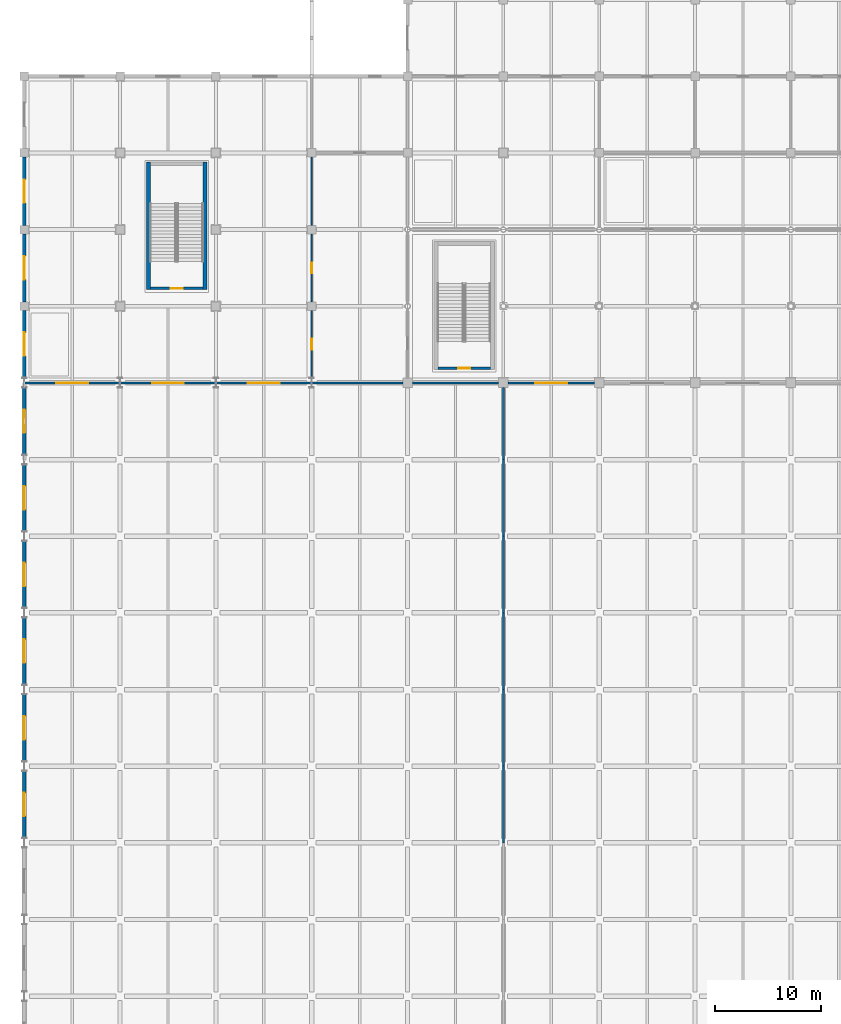
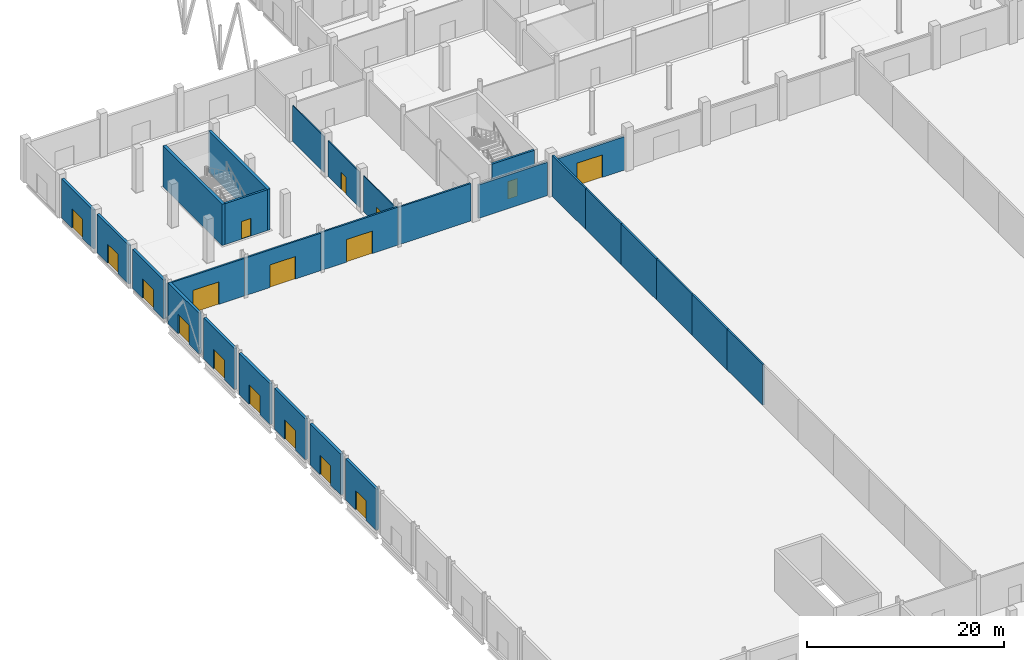
# One storey, part 88 of 137: 28 walls, 17 doors, 17 openings.
"""IFC4 building model written with IfcOpenShell, lengths in metres."""

import ifcopenshell
import ifcopenshell.guid

model = None  # the IFC model being written
_history = None  # IfcOwnerHistory: only IFC2X3 demands one
_inside = {}  # id of a spatial element -> (the spatial element, [elements in it])
_under = {}  # id of a project, library or spatial element -> (it, [spatial elements below it])
_declared = {}  # id of a project -> (the project, [libraries it declares])
_typed = {}  # id of a type object -> (the type object, [elements of that type])
_made_of = {}  # id of a material, layer set ... -> (it, [elements and type objects made of it])


def new_model(schema):
    """Start an empty IFC model of exactly this schema.

    Asked for "IFC4X3", IfcOpenShell would pick the latest addendum, in which some entities
    have other attributes; the version numbers below select the first issue.
    IFC2X3 requires an IfcOwnerHistory on every rooted entity: one is made here for all.
    """
    global model, _history
    if schema == "IFC4X3":
        model = ifcopenshell.file(schema_version=(4, 3, 0, 0))
    else:
        model = ifcopenshell.file(schema=schema)
    _inside.clear()
    _under.clear()
    _declared.clear()
    _typed.clear()
    _made_of.clear()
    _history = None
    if model.schema == "IFC2X3":
        org = make("IfcOrganization", Name="unknown")
        user = make(
            "IfcPersonAndOrganization",
            ThePerson=make("IfcPerson", FamilyName="unknown"),
            TheOrganization=org,
        )
        app = make(
            "IfcApplication",
            ApplicationDeveloper=org,
            Version="unknown",
            ApplicationFullName="unknown",
            ApplicationIdentifier="unknown",
        )
        _history = make(
            "IfcOwnerHistory",
            OwningUser=user,
            OwningApplication=app,
            ChangeAction="ADDED",
            CreationDate=0,
        )
    return model


def make(cls, **values):
    """One entity of the class cls with the attributes given. An attribute that is None is left unset."""
    return model.create_entity(
        cls, **{name: value for name, value in values.items() if value is not None}
    )


def rooted(cls, **values):
    """An entity with a GlobalId (a new one), such as an element, a storey or a relation."""
    return make(cls, GlobalId=ifcopenshell.guid.new(), OwnerHistory=_history, **values)


def si_unit(unit_type, name, prefix=None):
    """IfcSIUnit, for example si_unit("LENGTHUNIT", "METRE", prefix="MILLI")."""
    return make("IfcSIUnit", UnitType=unit_type, Prefix=prefix, Name=name)


def assignment(units):
    """IfcUnitAssignment: the units of a project."""
    return None if units is None else make("IfcUnitAssignment", Units=units)


def point(xyz):
    """IfcCartesianPoint."""
    return None if xyz is None else make("IfcCartesianPoint", Coordinates=xyz)


def direction(xyz):
    """IfcDirection."""
    return None if xyz is None else make("IfcDirection", DirectionRatios=xyz)


def frame(location, z_axis=None, x_axis=None):
    """IfcAxis2Placement3D, a coordinate frame: its origin and axes. An axis left out is left unset."""
    return make(
        "IfcAxis2Placement3D",
        Location=point(location),
        Axis=direction(z_axis),
        RefDirection=direction(x_axis),
    )


def frame_2d(location, x_axis=None):
    """IfcAxis2Placement2D, a coordinate frame in the plane: its origin and x axis."""
    return make(
        "IfcAxis2Placement2D", Location=point(location), RefDirection=direction(x_axis)
    )


def origin():
    """The frame at (0, 0, 0) with its axes left unset."""
    return frame((0.0, 0.0, 0.0))


def place(relative_to, where):
    """IfcLocalPlacement: puts the frame where relative to a parent placement (None: the world)."""
    return make(
        "IfcLocalPlacement", PlacementRelTo=relative_to, RelativePlacement=where
    )


def context(
    kind, dimensions, precision=None, world=None, true_north=None, identifier=None
):
    """IfcGeometricRepresentationContext, for example the 3D "Model" context."""
    return make(
        "IfcGeometricRepresentationContext",
        ContextIdentifier=identifier,
        ContextType=kind,
        CoordinateSpaceDimension=dimensions,
        Precision=precision,
        WorldCoordinateSystem=world,
        TrueNorth=true_north,
    )


def subcontext(parent, identifier, kind, view, scale=None):
    """IfcGeometricRepresentationSubContext, for example "Body" below "Model"."""
    return make(
        "IfcGeometricRepresentationSubContext",
        ContextIdentifier=identifier,
        ContextType=kind,
        ParentContext=parent,
        TargetScale=scale,
        TargetView=view,
    )


def project(units=None, contexts=None):
    """IfcProject with its units and contexts."""
    return rooted(
        "IfcProject",
        Name="project",
        RepresentationContexts=contexts,
        UnitsInContext=assignment(units),
    )


def spatial(cls, under=None, at=None, **own):
    """A site, building, storey or space (cls), placed at a placement, below another one or the project."""
    s = rooted(cls, ObjectPlacement=at, **own)
    if under is not None:
        _under.setdefault(under.id(), (under, []))[1].append(s)
    return s


def profile(cls, at=None, kind="AREA", **sizes):
    """A parametric profile (cls). Its sizes go by their IFC names, for example OverallWidth=200.0."""
    return make(cls, ProfileType=kind, Position=at, **sizes)


def rectangle(**sizes):
    """IfcRectangleProfileDef."""
    return profile("IfcRectangleProfileDef", **sizes)


def extrude(swept, where, along, depth):
    """IfcExtrudedAreaSolid: the profile swept, set in the frame where, extruded along a direction by depth."""
    return make(
        "IfcExtrudedAreaSolid",
        SweptArea=swept,
        Position=where,
        ExtrudedDirection=direction(along),
        Depth=depth,
    )


def shape(context_of_items, identifier, shape_type, items):
    """IfcShapeRepresentation: the items that make up one representation, for example the "Body"."""
    return make(
        "IfcShapeRepresentation",
        ContextOfItems=context_of_items,
        RepresentationIdentifier=identifier,
        RepresentationType=shape_type,
        Items=items,
    )


def material(Name=None, Category=None):
    """IfcMaterial."""
    return make("IfcMaterial", Name=Name, Category=Category)


def layer(
    of_material, thickness, ventilated=None, Name=None, Category=None, Priority=None
):
    """IfcMaterialLayer: one layer of a wall or slab, of a material (None: an air gap)."""
    return make(
        "IfcMaterialLayer",
        Material=of_material,
        LayerThickness=thickness,
        IsVentilated=ventilated,
        Name=Name,
        Category=Category,
        Priority=Priority,
    )


def layer_set(layers, Name=None):
    """IfcMaterialLayerSet."""
    return make("IfcMaterialLayerSet", MaterialLayers=layers, LayerSetName=Name)


def made_of(thing, what):
    """Note that an element or type object is made of a material, layer set ...; save() writes the relation."""
    if what is not None:
        _made_of.setdefault(what.id(), (what, []))[1].append(thing)
    return thing


def type_object(cls, material=None, **own):
    """A type object (cls), such as IfcWallType, which elements share."""
    return made_of(rooted(cls, **own), material)


def element(
    cls,
    number,
    at=None,
    inside=None,
    cuts=None,
    type_object=None,
    material=None,
    context=None,
    identifier="Body",
    shape_type=None,
    held_by="IfcProductDefinitionShape",
    body=None,
    shapes=None,
    **own,
):
    """One element of the class cls, such as IfcWall. Its Tag is "e" and its number.

    at: its placement. inside: the storey or other place that contains it. cuts: it is an
    opening in that element (IfcRelVoidsElement). A single representation is given by context,
    identifier, shape_type and body (its items); several are given by shapes. held_by: the class
    of the entity that holds the representations. save() writes the other relations.
    """
    e = rooted(cls, Tag="e%d" % number, ObjectPlacement=at, **own)
    if body is not None:
        shapes = [shape(context, identifier, shape_type, body)]
    if shapes is not None:
        e.Representation = make(held_by, Representations=shapes)
    if inside is not None:
        _inside.setdefault(inside.id(), (inside, []))[1].append(e)
    if cuts is not None:
        rooted(
            "IfcRelVoidsElement", RelatingBuildingElement=cuts, RelatedOpeningElement=e
        )
    if type_object is not None:
        _typed.setdefault(type_object.id(), (type_object, []))[1].append(e)
    return made_of(e, material)


def fill(opening, filler):
    """IfcRelFillsElement: the door or window that sits in an opening."""
    return rooted(
        "IfcRelFillsElement",
        RelatingOpeningElement=opening,
        RelatedBuildingElement=filler,
    )


def aggregate(whole, parts):
    """IfcRelAggregates: a whole, such as a stair, and the parts it consists of."""
    return rooted("IfcRelAggregates", RelatingObject=whole, RelatedObjects=parts)


def save(model, path):
    """Write the relations noted so far, then the file.

    IfcRelAggregates (storeys below a building ...), IfcRelContainedInSpatialStructure (elements
    in a storey), IfcRelDefinesByType, IfcRelAssociatesMaterial and IfcRelDeclares: one each for
    every whole, place, type object, material and project.
    """
    for whole, parts in _under.values():
        aggregate(whole, parts)
    for where, things in _inside.values():
        rooted(
            "IfcRelContainedInSpatialStructure",
            RelatedElements=things,
            RelatingStructure=where,
        )
    for kind, things in _typed.values():
        rooted("IfcRelDefinesByType", RelatedObjects=things, RelatingType=kind)
    for what, things in _made_of.values():
        rooted("IfcRelAssociatesMaterial", RelatedObjects=things, RelatingMaterial=what)
    for by, libraries in _declared.values():
        rooted("IfcRelDeclares", RelatingContext=by, RelatedDefinitions=libraries)
    model.write(path)


model = new_model("IFC4")

# Units and contexts
model_context = context("Model", 3, precision=1e-05, world=origin(), true_north=direction((0.0, 1.0)))
body_context = subcontext(model_context, "Body", "Model", "MODEL_VIEW")
ifc_project = project(units=[si_unit("LENGTHUNIT", "METRE"), si_unit("AREAUNIT", "SQUARE_METRE"), si_unit("VOLUMEUNIT", "CUBIC_METRE"), si_unit("PLANEANGLEUNIT", "RADIAN"), si_unit("MASSUNIT", "GRAM", prefix="KILO")], contexts=[model_context])

# Site, building, storey
site_placement = place(None, origin())
site = spatial("IfcSite", under=ifc_project, at=site_placement, CompositionType="ELEMENT")
building_placement = place(site_placement, origin())
building = spatial("IfcBuilding", under=site, at=building_placement, Name="Celestram Park Convention Centre", CompositionType="ELEMENT")
storey_placement = place(building_placement, origin())
storey = spatial("IfcBuildingStorey", under=building, at=storey_placement, Name="L00", CompositionType="ELEMENT", Elevation=0.0)

# Wall, opening, door
ifc_material_1 = material(Name="Double-Stud Acoustic Gypsum Assembly", Category="gypsum")
ifc_layer_1 = layer(ifc_material_1, 0.199951171875)
ifc_layer_set_1 = layer_set([ifc_layer_1], Name="Double-Stud Acoustic Gypsum Assembly")
wall_type_1 = type_object("IfcWallType", Name="ARC-WL-ACO200", PredefinedType="PARTITIONING", material=ifc_layer_set_1)
wall_1_placement = place(storey_placement, frame((0.010009765625, 108.0, 0.0), z_axis=(0.0, 0.0, 1.0), x_axis=(1.0, 0.0, 0.0)))
wall_1 = element("IfcWall", 1, at=wall_1_placement, inside=storey, type_object=wall_type_1, Name="Interior partition WL-L00-IN0555", PredefinedType="PARTITIONING", context=body_context, shape_type="SweptSolid", body=[
    extrude(rectangle(XDim=8.97998046875, YDim=0.199951171875, at=frame_2d((4.489990234375, 0.0))), origin(), (0.0, 0.0, 1.0), 4.653076171875),
])
opening_1_placement = place(wall_1_placement, frame((2.989990234375, 0.0, 0.0)))
opening_1 = element("IfcOpeningElement", 2, at=opening_1_placement, cuts=wall_1, Name="Opening D-03", PredefinedType="OPENING", context=body_context, shape_type="SweptSolid", body=[
    extrude(rectangle(XDim=3.0, YDim=2.800048828125, at=frame_2d((1.5, 1.39990234375))), frame((0.0, 0.10986328125, 0.0), z_axis=(0.0, -1.0, 0.0), x_axis=(1.0, 0.0, 0.0)), (0.0, 0.0, 1.0), 0.219970703125),
])
ifc_material_2 = material(Name="High-Bay Exposition Hall Double Portal", Category="steel")
door_type_1 = type_object("IfcDoorType", Name="ARC-DR-EXH300", OperationType="NOTDEFINED", PredefinedType="DOOR", material=ifc_material_2)
door_1_placement = place(opening_1_placement, origin())
door_1 = element("IfcDoor", 3, at=door_1_placement, inside=storey, type_object=door_type_1, Name="Exhibition Hall A entrance door", OperationType="DOUBLE_DOOR_SINGLE_SWING", OverallHeight=2.800048828125, OverallWidth=3.0, PredefinedType="DOOR", context=body_context, shape_type="SweptSolid", body=[
    extrude(rectangle(XDim=3.0, YDim=2.800048828125, at=frame_2d((1.5, 1.39990234375))), frame((0.0, 0.02490234375, 0.0), z_axis=(0.0, -1.0, 0.0), x_axis=(1.0, 0.0, 0.0)), (0.0, 0.0, 1.0), 0.050048828125),
])
fill(opening_1, door_1)

wall_2_placement = place(storey_placement, frame((9.010009765625, 108.0, 0.0), z_axis=(0.0, 0.0, 1.0), x_axis=(1.0, 0.0, 0.0)))
wall_2 = element("IfcWall", 4, at=wall_2_placement, inside=storey, type_object=wall_type_1, Name="Interior partition WL-L00-IN0556", PredefinedType="PARTITIONING", context=body_context, shape_type="SweptSolid", body=[
    extrude(rectangle(XDim=8.97998046875, YDim=0.199951171875, at=frame_2d((4.489990234375, 0.0))), origin(), (0.0, 0.0, 1.0), 4.6630859375),
])
opening_2_placement = place(wall_2_placement, frame((2.989990234375, 0.0, 0.0)))
opening_2 = element("IfcOpeningElement", 5, at=opening_2_placement, cuts=wall_2, Name="Opening D-03", PredefinedType="OPENING", context=body_context, shape_type="SweptSolid", body=[
    extrude(rectangle(XDim=3.0, YDim=2.800048828125, at=frame_2d((1.5, 1.39990234375))), frame((0.0, 0.10986328125, 0.0), z_axis=(0.0, -1.0, 0.0), x_axis=(1.0, 0.0, 0.0)), (0.0, 0.0, 1.0), 0.219970703125),
])
door_2_placement = place(opening_2_placement, origin())
door_2 = element("IfcDoor", 6, at=door_2_placement, inside=storey, type_object=door_type_1, Name="Exhibition Hall A entrance door", OperationType="DOUBLE_DOOR_SINGLE_SWING", OverallHeight=2.800048828125, OverallWidth=3.0, PredefinedType="DOOR", context=body_context, shape_type="SweptSolid", body=[
    extrude(rectangle(XDim=3.0, YDim=2.800048828125, at=frame_2d((1.5, 1.39990234375))), frame((0.0, 0.02490234375, 0.0), z_axis=(0.0, -1.0, 0.0), x_axis=(1.0, 0.0, 0.0)), (0.0, 0.0, 1.0), 0.050048828125),
])
fill(opening_2, door_2)

wall_3_placement = place(storey_placement, frame((18.010009765625, 108.0, 0.0), z_axis=(0.0, 0.0, 1.0), x_axis=(1.0, 0.0, 0.0)))
wall_3 = element("IfcWall", 7, at=wall_3_placement, inside=storey, type_object=wall_type_1, Name="Interior partition WL-L00-IN0557", PredefinedType="PARTITIONING", context=body_context, shape_type="SweptSolid", body=[
    extrude(rectangle(XDim=8.97998046875, YDim=0.199951171875, at=frame_2d((4.489990234375, 0.0))), origin(), (0.0, 0.0, 1.0), 4.714111328125),
])
opening_3_placement = place(wall_3_placement, frame((2.989990234375, 0.0, 0.0)))
opening_3 = element("IfcOpeningElement", 8, at=opening_3_placement, cuts=wall_3, Name="Opening D-03", PredefinedType="OPENING", context=body_context, shape_type="SweptSolid", body=[
    extrude(rectangle(XDim=3.0, YDim=2.800048828125, at=frame_2d((1.5, 1.39990234375))), frame((0.0, 0.10986328125, 0.0), z_axis=(0.0, -1.0, 0.0), x_axis=(1.0, 0.0, 0.0)), (0.0, 0.0, 1.0), 0.219970703125),
])
door_3_placement = place(opening_3_placement, origin())
door_3 = element("IfcDoor", 9, at=door_3_placement, inside=storey, type_object=door_type_1, Name="Exhibition Hall A entrance door", OperationType="DOUBLE_DOOR_SINGLE_SWING", OverallHeight=2.800048828125, OverallWidth=3.0, PredefinedType="DOOR", context=body_context, shape_type="SweptSolid", body=[
    extrude(rectangle(XDim=3.0, YDim=2.800048828125, at=frame_2d((1.5, 1.39990234375))), frame((0.0, 0.02490234375, 0.0), z_axis=(0.0, -1.0, 0.0), x_axis=(1.0, 0.0, 0.0)), (0.0, 0.0, 1.0), 0.050048828125),
])
fill(opening_3, door_3)

# Walls
wall_4_placement = place(storey_placement, frame((27.010009765625, 108.0, 0.0), z_axis=(0.0, 0.0, 1.0), x_axis=(1.0, 0.0, 0.0)))
element("IfcWall", 10, at=wall_4_placement, inside=storey, type_object=wall_type_1, Name="Interior partition WL-L00-IN0558", PredefinedType="PARTITIONING", context=body_context, shape_type="SweptSolid", body=[
    extrude(rectangle(XDim=8.5419921875, YDim=0.199951171875, at=frame_2d((4.27099609375, 0.0))), origin(), (0.0, 0.0, 1.0), 4.653076171875),
])
wall_5_placement = place(storey_placement, frame((36.447998046875, 108.0, 0.0), z_axis=(0.0, 0.0, 1.0), x_axis=(1.0, 0.0, 0.0)))
element("IfcWall", 11, at=wall_5_placement, inside=storey, type_object=wall_type_1, Name="Interior partition WL-L00-IN0559", PredefinedType="PARTITIONING", context=body_context, shape_type="SweptSolid", body=[
    extrude(rectangle(XDim=8.10400390625, YDim=0.199951171875, at=frame_2d((4.052001953125, 0.0))), origin(), (0.0, 0.0, 1.0), 4.14990234375),
])

# Wall, opening, door
wall_6_placement = place(storey_placement, frame((45.447998046875, 108.0, 0.0), z_axis=(0.0, 0.0, 1.0), x_axis=(1.0, 0.0, 0.0)))
wall_6 = element("IfcWall", 12, at=wall_6_placement, inside=storey, type_object=wall_type_1, Name="Interior partition WL-L00-IN0560", PredefinedType="PARTITIONING", context=body_context, shape_type="SweptSolid", body=[
    extrude(rectangle(XDim=8.10400390625, YDim=0.199951171875, at=frame_2d((4.052001953125, 0.0))), origin(), (0.0, 0.0, 1.0), 4.14990234375),
])
opening_4_placement = place(wall_6_placement, frame((2.552001953125, 0.0, 0.0)))
opening_4 = element("IfcOpeningElement", 13, at=opening_4_placement, cuts=wall_6, Name="Opening D-03", PredefinedType="OPENING", context=body_context, shape_type="SweptSolid", body=[
    extrude(rectangle(XDim=3.0, YDim=2.800048828125, at=frame_2d((1.5, 1.39990234375))), frame((0.0, 0.10986328125, 0.0), z_axis=(0.0, -1.0, 0.0), x_axis=(1.0, 0.0, 0.0)), (0.0, 0.0, 1.0), 0.219970703125),
])
door_4_placement = place(opening_4_placement, origin())
door_4 = element("IfcDoor", 14, at=door_4_placement, inside=storey, type_object=door_type_1, Name="Exhibition Hall B entrance door", OperationType="DOUBLE_DOOR_SINGLE_SWING", OverallHeight=2.800048828125, OverallWidth=3.0, PredefinedType="DOOR", context=body_context, shape_type="SweptSolid", body=[
    extrude(rectangle(XDim=3.0, YDim=2.800048828125, at=frame_2d((1.5, 1.39990234375))), frame((0.0, 0.02490234375, 0.0), z_axis=(0.0, -1.0, 0.0), x_axis=(1.0, 0.0, 0.0)), (0.0, 0.0, 1.0), 0.050048828125),
])
fill(opening_4, door_4)

# Walls
for number, where, z_axis, x_axis, name in (
    (15, (45.0, 64.800048828125, 0.0), (0.0, 0.0, 1.0), (0.0, 1.0, 0.0), "Interior partition WL-L00-IN0620"),
    (16, (45.0, 72.0, 0.0), (0.0, 0.0, 1.0), (0.0, 1.0, 0.0), "Interior partition WL-L00-IN0621"),
    (17, (45.0, 79.199951171875, 0.0), (0.0, 0.0, 1.0), (0.0, 1.0, 0.0), "Interior partition WL-L00-IN0622"),
):
    element("IfcWall", number, at=place(storey_placement, frame(where, z_axis=z_axis, x_axis=x_axis)), inside=storey, type_object=wall_type_1, Name=name, PredefinedType="PARTITIONING", context=body_context, shape_type="SweptSolid", body=[
        extrude(rectangle(XDim=7.199951171875, YDim=0.199951171875, at=frame_2d((3.60009765625, 0.0))), origin(), (0.0, 0.0, 1.0), 5.080078125),
    ])
wall_7_placement = place(storey_placement, frame((45.0, 86.39990234375, 0.0), z_axis=(0.0, 0.0, 1.0), x_axis=(0.0, 1.0, 0.0)))
element("IfcWall", 18, at=wall_7_placement, inside=storey, type_object=wall_type_1, Name="Interior partition WL-L00-IN0623", PredefinedType="PARTITIONING", context=body_context, shape_type="SweptSolid", body=[
    extrude(rectangle(XDim=7.2001953125, YDim=0.199951171875, at=frame_2d((3.60009765625, 0.0))), origin(), (0.0, 0.0, 1.0), 5.080078125),
])
wall_8_placement = place(storey_placement, frame((45.0, 93.60009765625, 0.0), z_axis=(0.0, 0.0, 1.0), x_axis=(0.0, 1.0, 0.0)))
element("IfcWall", 19, at=wall_8_placement, inside=storey, type_object=wall_type_1, Name="Interior partition WL-L00-IN0624", PredefinedType="PARTITIONING", context=body_context, shape_type="SweptSolid", body=[
    extrude(rectangle(XDim=7.199951171875, YDim=0.199951171875, at=frame_2d((3.60009765625, 0.0))), origin(), (0.0, 0.0, 1.0), 5.080078125),
])
wall_9_placement = place(storey_placement, frame((45.0, 100.800048828125, 0.0), z_axis=(0.0, 0.0, 1.0), x_axis=(0.0, 1.0, 0.0)))
element("IfcWall", 20, at=wall_9_placement, inside=storey, type_object=wall_type_1, Name="Interior partition WL-L00-IN0625", PredefinedType="PARTITIONING", context=body_context, shape_type="SweptSolid", body=[
    extrude(rectangle(XDim=6.751953125, YDim=0.199951171875, at=frame_2d((3.3759765625, 0.0))), origin(), (0.0, 0.0, 1.0), 5.080078125),
])

# Wall, opening, door
ifc_material_3 = material(Name="Concrete Block Masonry C25/30", Category="masonry")
ifc_layer_2 = layer(ifc_material_3, 0.25)
ifc_layer_set_2 = layer_set([ifc_layer_2], Name="Concrete Block Masonry C25/30")
wall_type_2 = type_object("IfcWallType", Name="ARC-WL-COR250", PredefinedType="STANDARD", material=ifc_layer_set_2)
wall_10_placement = place(storey_placement, frame((43.800048828125, 109.375, 0.0), z_axis=(0.0, 0.0, 1.0), x_axis=(-1.0, 0.0, 0.0)))
wall_10 = element("IfcWall", 21, at=wall_10_placement, inside=storey, type_object=wall_type_2, Name="Core S13 stair entrance wall", PredefinedType="STANDARD", context=body_context, shape_type="SweptSolid", body=[
    extrude(rectangle(XDim=4.9599609375, YDim=0.25, at=frame_2d((2.47998046875, 0.0))), origin(), (0.0, 0.0, 1.0), 5.080078125),
])
opening_5_placement = place(wall_10_placement, frame((1.905029296875, 0.0, 0.0)))
opening_5 = element("IfcOpeningElement", 22, at=opening_5_placement, cuts=wall_10, Name="Opening D-ST1", PredefinedType="OPENING", context=body_context, shape_type="SweptSolid", body=[
    extrude(rectangle(XDim=1.14990234375, YDim=2.199951171875, at=frame_2d((0.574951171875, 1.10009765625))), frame((0.0, 0.135009765625, 0.0), z_axis=(0.0, -1.0, 0.0), x_axis=(1.0, 0.0, 0.0)), (0.0, 0.0, 1.0), 0.27001953125),
])
ifc_material_4 = material(Name="Fire-Rated Hollow Metal Steel ASTM A653", Category="steel")
door_type_2 = type_object("IfcDoorType", Name="ARC-DR-ST115", OperationType="NOTDEFINED", PredefinedType="DOOR", material=ifc_material_4)
door_5_placement = place(opening_5_placement, origin())
door_5 = element("IfcDoor", 23, at=door_5_placement, inside=storey, type_object=door_type_2, Name="Exit stair ST-13 fire door", OperationType="SINGLE_SWING_RIGHT", OverallHeight=2.199951171875, OverallWidth=1.14990234375, PredefinedType="DOOR", context=body_context, shape_type="SweptSolid", body=[
    extrude(rectangle(XDim=1.14990234375, YDim=2.199951171875, at=frame_2d((0.574951171875, 1.10009765625))), frame((0.0, 0.02490234375, 0.0), z_axis=(0.0, -1.0, 0.0), x_axis=(1.0, 0.0, 0.0)), (0.0, 0.0, 1.0), 0.050048828125),
])
fill(opening_5, door_5)

wall_11_placement = place(storey_placement, frame((16.800048828125, 116.875, 0.0), z_axis=(0.0, 0.0, 1.0), x_axis=(-1.0, 0.0, 0.0)))
wall_11 = element("IfcWall", 24, at=wall_11_placement, inside=storey, type_object=wall_type_2, Name="Core S15 stair entrance wall", PredefinedType="STANDARD", context=body_context, shape_type="SweptSolid", body=[
    extrude(rectangle(XDim=4.9599609375, YDim=0.25, at=frame_2d((2.47998046875, 0.0))), origin(), (0.0, 0.0, 1.0), 5.080078125),
])
opening_6_placement = place(wall_11_placement, frame((1.905029296875, 0.0, 0.0)))
opening_6 = element("IfcOpeningElement", 25, at=opening_6_placement, cuts=wall_11, Name="Opening D-ST1", PredefinedType="OPENING", context=body_context, shape_type="SweptSolid", body=[
    extrude(rectangle(XDim=1.14990234375, YDim=2.199951171875, at=frame_2d((0.574951171875, 1.10009765625))), frame((0.0, 0.135009765625, 0.0), z_axis=(0.0, -1.0, 0.0), x_axis=(1.0, 0.0, 0.0)), (0.0, 0.0, 1.0), 0.27001953125),
])
door_6_placement = place(opening_6_placement, origin())
door_6 = element("IfcDoor", 26, at=door_6_placement, inside=storey, type_object=door_type_2, Name="Exit stair ST-15 fire door", OperationType="SINGLE_SWING_LEFT", OverallHeight=2.199951171875, OverallWidth=1.14990234375, PredefinedType="DOOR", context=body_context, shape_type="SweptSolid", body=[
    extrude(rectangle(XDim=1.14990234375, YDim=2.199951171875, at=frame_2d((0.574951171875, 1.10009765625))), frame((0.0, 0.02490234375, 0.0), z_axis=(0.0, -1.0, 0.0), x_axis=(1.0, 0.0, 0.0)), (0.0, 0.0, 1.0), 0.050048828125),
])
fill(opening_6, door_6)

ifc_material_5 = material(Name="Precast Concrete C40/50", Category="concrete")
ifc_layer_3 = layer(ifc_material_5, 0.300048828125)
ifc_layer_set_3 = layer_set([ifc_layer_3], Name="Precast Concrete C40/50")
wall_type_3 = type_object("IfcWallType", Name="ARC-WL-EXT300", PredefinedType="STANDARD", material=ifc_layer_set_3)
wall_12_placement = place(storey_placement, frame((0.0, 108.464111328125, 0.0), z_axis=(0.0, 0.0, 1.0), x_axis=(0.0, 1.0, 0.0)))
wall_12 = element("IfcWall", 27, at=wall_12_placement, inside=storey, type_object=wall_type_3, Name="Bush-hammered precast exterior wall WL-L00-EW013", PredefinedType="STANDARD", context=body_context, shape_type="SweptSolid", body=[
    extrude(rectangle(XDim=6.337890625, YDim=0.300048828125, at=frame_2d((3.1689453125, 0.0))), origin(), (0.0, 0.0, 1.0), 4.820068359375),
])
opening_7_placement = place(wall_12_placement, frame((2.069091796875, 0.0, 0.0)))
opening_7 = element("IfcOpeningElement", 28, at=opening_7_placement, cuts=wall_12, Name="Opening D-EX1", PredefinedType="OPENING", context=body_context, shape_type="SweptSolid", body=[
    extrude(rectangle(XDim=2.199951171875, YDim=2.39990234375, at=frame_2d((1.10009765625, 1.199951171875))), frame((0.0, 0.159912109375, 0.0), z_axis=(0.0, -1.0, 0.0), x_axis=(1.0, 0.0, 0.0)), (0.0, 0.0, 1.0), 0.320068359375),
])
ifc_material_6 = material(Name="Anodised Aluminium & Tempered Glass", Category="aluminium")
door_type_3 = type_object("IfcDoorType", Name="ARC-DR-EX2200", OperationType="NOTDEFINED", PredefinedType="DOOR", material=ifc_material_6)
door_7_placement = place(opening_7_placement, origin())
door_7 = element("IfcDoor", 29, at=door_7_placement, inside=storey, type_object=door_type_3, Name="Ground egress exit door DR-L00-EX13", OperationType="DOUBLE_DOOR_SINGLE_SWING", OverallHeight=2.39990234375, OverallWidth=2.199951171875, PredefinedType="DOOR", context=body_context, shape_type="SweptSolid", body=[
    extrude(rectangle(XDim=2.199951171875, YDim=2.39990234375, at=frame_2d((1.10009765625, 1.199951171875))), frame((0.0, 0.02490234375, 0.0), z_axis=(0.0, -1.0, 0.0), x_axis=(1.0, 0.0, 0.0)), (0.0, 0.0, 1.0), 0.050048828125),
])
fill(opening_7, door_7)

wall_13_placement = place(storey_placement, frame((0.0, 115.597900390625, 0.0), z_axis=(0.0, 0.0, 1.0), x_axis=(0.0, 1.0, 0.0)))
wall_13 = element("IfcWall", 30, at=wall_13_placement, inside=storey, type_object=wall_type_3, Name="Bush-hammered precast exterior wall WL-L00-EW014", PredefinedType="STANDARD", context=body_context, shape_type="SweptSolid", body=[
    extrude(rectangle(XDim=6.404052734375, YDim=0.300048828125, at=frame_2d((3.2021484375, 0.0))), origin(), (0.0, 0.0, 1.0), 4.820068359375),
])
opening_8_placement = place(wall_13_placement, frame((2.10205078125, 0.0, 0.0)))
opening_8 = element("IfcOpeningElement", 31, at=opening_8_placement, cuts=wall_13, Name="Opening D-EX1", PredefinedType="OPENING", context=body_context, shape_type="SweptSolid", body=[
    extrude(rectangle(XDim=2.199951171875, YDim=2.39990234375, at=frame_2d((1.10009765625, 1.199951171875))), frame((0.0, 0.159912109375, 0.0), z_axis=(0.0, -1.0, 0.0), x_axis=(1.0, 0.0, 0.0)), (0.0, 0.0, 1.0), 0.320068359375),
])
door_8_placement = place(opening_8_placement, origin())
door_8 = element("IfcDoor", 32, at=door_8_placement, inside=storey, type_object=door_type_3, Name="Ground egress exit door DR-L00-EX14", OperationType="DOUBLE_DOOR_SINGLE_SWING", OverallHeight=2.39990234375, OverallWidth=2.199951171875, PredefinedType="DOOR", context=body_context, shape_type="SweptSolid", body=[
    extrude(rectangle(XDim=2.199951171875, YDim=2.39990234375, at=frame_2d((1.10009765625, 1.199951171875))), frame((0.0, 0.02490234375, 0.0), z_axis=(0.0, -1.0, 0.0), x_axis=(1.0, 0.0, 0.0)), (0.0, 0.0, 1.0), 0.050048828125),
])
fill(opening_8, door_8)

wall_14_placement = place(storey_placement, frame((0.0, 122.798095703125, 0.0), z_axis=(0.0, 0.0, 1.0), x_axis=(0.0, 1.0, 0.0)))
wall_14 = element("IfcWall", 33, at=wall_14_placement, inside=storey, type_object=wall_type_3, Name="Bush-hammered precast exterior wall WL-L00-EW015", PredefinedType="STANDARD", context=body_context, shape_type="SweptSolid", body=[
    extrude(rectangle(XDim=6.40380859375, YDim=0.300048828125, at=frame_2d((3.201904296875, 0.0))), origin(), (0.0, 0.0, 1.0), 4.820068359375),
])
opening_9_placement = place(wall_14_placement, frame((2.10205078125, 0.0, 0.0)))
opening_9 = element("IfcOpeningElement", 34, at=opening_9_placement, cuts=wall_14, Name="Opening D-EX1", PredefinedType="OPENING", context=body_context, shape_type="SweptSolid", body=[
    extrude(rectangle(XDim=2.199951171875, YDim=2.39990234375, at=frame_2d((1.10009765625, 1.199951171875))), frame((0.0, 0.159912109375, 0.0), z_axis=(0.0, -1.0, 0.0), x_axis=(1.0, 0.0, 0.0)), (0.0, 0.0, 1.0), 0.320068359375),
])
door_9_placement = place(opening_9_placement, origin())
door_9 = element("IfcDoor", 35, at=door_9_placement, inside=storey, type_object=door_type_3, Name="Ground egress exit door DR-L00-EX15", OperationType="DOUBLE_DOOR_SINGLE_SWING", OverallHeight=2.39990234375, OverallWidth=2.199951171875, PredefinedType="DOOR", context=body_context, shape_type="SweptSolid", body=[
    extrude(rectangle(XDim=2.199951171875, YDim=2.39990234375, at=frame_2d((1.10009765625, 1.199951171875))), frame((0.0, 0.02490234375, 0.0), z_axis=(0.0, -1.0, 0.0), x_axis=(1.0, 0.0, 0.0)), (0.0, 0.0, 1.0), 0.050048828125),
])
fill(opening_9, door_9)

ifc_layer_4 = layer(ifc_material_5, 0.320068359375)
ifc_layer_set_4 = layer_set([ifc_layer_4], Name="Precast Concrete C40/50")
wall_type_4 = type_object("IfcWallType", Name="ARC-WL-EXT320", PredefinedType="STANDARD", material=ifc_layer_set_4)
wall_15_placement = place(storey_placement, frame((0.0, 65.263916015625, 0.0), z_axis=(0.0, 0.0, 1.0), x_axis=(0.0, 1.0, 0.0)))
wall_15 = element("IfcWall", 36, at=wall_15_placement, inside=storey, type_object=wall_type_4, Name="Bush-hammered precast exterior wall WL-L00-EW007", PredefinedType="STANDARD", context=body_context, shape_type="SweptSolid", body=[
    extrude(rectangle(XDim=6.27197265625, YDim=0.320068359375, at=frame_2d((3.135986328125, 0.0))), origin(), (0.0, 0.0, 1.0), 5.080078125),
])
opening_10_placement = place(wall_15_placement, frame((2.035888671875, 0.0, 0.0)))
opening_10 = element("IfcOpeningElement", 37, at=opening_10_placement, cuts=wall_15, Name="Opening D-EX1", PredefinedType="OPENING", context=body_context, shape_type="SweptSolid", body=[
    extrude(rectangle(XDim=2.199951171875, YDim=2.39990234375, at=frame_2d((1.10009765625, 1.199951171875))), frame((0.0, 0.169921875, 0.0), z_axis=(0.0, -1.0, 0.0), x_axis=(1.0, 0.0, 0.0)), (0.0, 0.0, 1.0), 0.340087890625),
])
door_10_placement = place(opening_10_placement, origin())
door_10 = element("IfcDoor", 38, at=door_10_placement, inside=storey, type_object=door_type_3, Name="Ground egress exit door DR-L00-EX07", OperationType="DOUBLE_DOOR_SINGLE_SWING", OverallHeight=2.39990234375, OverallWidth=2.199951171875, PredefinedType="DOOR", context=body_context, shape_type="SweptSolid", body=[
    extrude(rectangle(XDim=2.199951171875, YDim=2.39990234375, at=frame_2d((1.10009765625, 1.199951171875))), frame((0.0, 0.02490234375, 0.0), z_axis=(0.0, -1.0, 0.0), x_axis=(1.0, 0.0, 0.0)), (0.0, 0.0, 1.0), 0.050048828125),
])
fill(opening_10, door_10)

wall_16_placement = place(storey_placement, frame((0.0, 72.464111328125, 0.0), z_axis=(0.0, 0.0, 1.0), x_axis=(0.0, 1.0, 0.0)))
wall_16 = element("IfcWall", 39, at=wall_16_placement, inside=storey, type_object=wall_type_4, Name="Bush-hammered precast exterior wall WL-L00-EW008", PredefinedType="STANDARD", context=body_context, shape_type="SweptSolid", body=[
    extrude(rectangle(XDim=6.27197265625, YDim=0.320068359375, at=frame_2d((3.135986328125, 0.0))), origin(), (0.0, 0.0, 1.0), 5.080078125),
])
opening_11_placement = place(wall_16_placement, frame((2.035888671875, 0.0, 0.0)))
opening_11 = element("IfcOpeningElement", 40, at=opening_11_placement, cuts=wall_16, Name="Opening D-EX1", PredefinedType="OPENING", context=body_context, shape_type="SweptSolid", body=[
    extrude(rectangle(XDim=2.199951171875, YDim=2.39990234375, at=frame_2d((1.10009765625, 1.199951171875))), frame((0.0, 0.169921875, 0.0), z_axis=(0.0, -1.0, 0.0), x_axis=(1.0, 0.0, 0.0)), (0.0, 0.0, 1.0), 0.340087890625),
])
door_11_placement = place(opening_11_placement, origin())
door_11 = element("IfcDoor", 41, at=door_11_placement, inside=storey, type_object=door_type_3, Name="Ground egress exit door DR-L00-EX08", OperationType="DOUBLE_DOOR_SINGLE_SWING", OverallHeight=2.39990234375, OverallWidth=2.199951171875, PredefinedType="DOOR", context=body_context, shape_type="SweptSolid", body=[
    extrude(rectangle(XDim=2.199951171875, YDim=2.39990234375, at=frame_2d((1.10009765625, 1.199951171875))), frame((0.0, 0.02490234375, 0.0), z_axis=(0.0, -1.0, 0.0), x_axis=(1.0, 0.0, 0.0)), (0.0, 0.0, 1.0), 0.050048828125),
])
fill(opening_11, door_11)

wall_17_placement = place(storey_placement, frame((0.0, 79.6640625, 0.0), z_axis=(0.0, 0.0, 1.0), x_axis=(0.0, 1.0, 0.0)))
wall_17 = element("IfcWall", 42, at=wall_17_placement, inside=storey, type_object=wall_type_4, Name="Bush-hammered precast exterior wall WL-L00-EW009", PredefinedType="STANDARD", context=body_context, shape_type="SweptSolid", body=[
    extrude(rectangle(XDim=6.27197265625, YDim=0.320068359375, at=frame_2d((3.135986328125, 0.0))), origin(), (0.0, 0.0, 1.0), 5.080078125),
])
opening_12_placement = place(wall_17_placement, frame((2.035888671875, 0.0, 0.0)))
opening_12 = element("IfcOpeningElement", 43, at=opening_12_placement, cuts=wall_17, Name="Opening D-EX1", PredefinedType="OPENING", context=body_context, shape_type="SweptSolid", body=[
    extrude(rectangle(XDim=2.199951171875, YDim=2.39990234375, at=frame_2d((1.10009765625, 1.199951171875))), frame((0.0, 0.169921875, 0.0), z_axis=(0.0, -1.0, 0.0), x_axis=(1.0, 0.0, 0.0)), (0.0, 0.0, 1.0), 0.340087890625),
])
door_12_placement = place(opening_12_placement, origin())
door_12 = element("IfcDoor", 44, at=door_12_placement, inside=storey, type_object=door_type_3, Name="Ground egress exit door DR-L00-EX09", OperationType="DOUBLE_DOOR_SINGLE_SWING", OverallHeight=2.39990234375, OverallWidth=2.199951171875, PredefinedType="DOOR", context=body_context, shape_type="SweptSolid", body=[
    extrude(rectangle(XDim=2.199951171875, YDim=2.39990234375, at=frame_2d((1.10009765625, 1.199951171875))), frame((0.0, 0.02490234375, 0.0), z_axis=(0.0, -1.0, 0.0), x_axis=(1.0, 0.0, 0.0)), (0.0, 0.0, 1.0), 0.050048828125),
])
fill(opening_12, door_12)

wall_18_placement = place(storey_placement, frame((0.0, 86.864013671875, 0.0), z_axis=(0.0, 0.0, 1.0), x_axis=(0.0, 1.0, 0.0)))
wall_18 = element("IfcWall", 45, at=wall_18_placement, inside=storey, type_object=wall_type_4, Name="Bush-hammered precast exterior wall WL-L00-EW010", PredefinedType="STANDARD", context=body_context, shape_type="SweptSolid", body=[
    extrude(rectangle(XDim=6.27197265625, YDim=0.320068359375, at=frame_2d((3.135986328125, 0.0))), origin(), (0.0, 0.0, 1.0), 5.080078125),
])
opening_13_placement = place(wall_18_placement, frame((2.035888671875, 0.0, 0.0)))
opening_13 = element("IfcOpeningElement", 46, at=opening_13_placement, cuts=wall_18, Name="Opening D-EX1", PredefinedType="OPENING", context=body_context, shape_type="SweptSolid", body=[
    extrude(rectangle(XDim=2.199951171875, YDim=2.39990234375, at=frame_2d((1.10009765625, 1.199951171875))), frame((0.0, 0.169921875, 0.0), z_axis=(0.0, -1.0, 0.0), x_axis=(1.0, 0.0, 0.0)), (0.0, 0.0, 1.0), 0.340087890625),
])
door_13_placement = place(opening_13_placement, origin())
door_13 = element("IfcDoor", 47, at=door_13_placement, inside=storey, type_object=door_type_3, Name="Ground egress exit door DR-L00-EX10", OperationType="DOUBLE_DOOR_SINGLE_SWING", OverallHeight=2.39990234375, OverallWidth=2.199951171875, PredefinedType="DOOR", context=body_context, shape_type="SweptSolid", body=[
    extrude(rectangle(XDim=2.199951171875, YDim=2.39990234375, at=frame_2d((1.10009765625, 1.199951171875))), frame((0.0, 0.02490234375, 0.0), z_axis=(0.0, -1.0, 0.0), x_axis=(1.0, 0.0, 0.0)), (0.0, 0.0, 1.0), 0.050048828125),
])
fill(opening_13, door_13)

wall_19_placement = place(storey_placement, frame((0.0, 94.06396484375, 0.0), z_axis=(0.0, 0.0, 1.0), x_axis=(0.0, 1.0, 0.0)))
wall_19 = element("IfcWall", 48, at=wall_19_placement, inside=storey, type_object=wall_type_4, Name="Bush-hammered precast exterior wall WL-L00-EW011", PredefinedType="STANDARD", context=body_context, shape_type="SweptSolid", body=[
    extrude(rectangle(XDim=6.27197265625, YDim=0.320068359375, at=frame_2d((3.135986328125, 0.0))), origin(), (0.0, 0.0, 1.0), 5.080078125),
])
opening_14_placement = place(wall_19_placement, frame((2.035888671875, 0.0, 0.0)))
opening_14 = element("IfcOpeningElement", 49, at=opening_14_placement, cuts=wall_19, Name="Opening D-EX1", PredefinedType="OPENING", context=body_context, shape_type="SweptSolid", body=[
    extrude(rectangle(XDim=2.199951171875, YDim=2.39990234375, at=frame_2d((1.10009765625, 1.199951171875))), frame((0.0, 0.169921875, 0.0), z_axis=(0.0, -1.0, 0.0), x_axis=(1.0, 0.0, 0.0)), (0.0, 0.0, 1.0), 0.340087890625),
])
door_14_placement = place(opening_14_placement, origin())
door_14 = element("IfcDoor", 50, at=door_14_placement, inside=storey, type_object=door_type_3, Name="Ground egress exit door DR-L00-EX11", OperationType="DOUBLE_DOOR_SINGLE_SWING", OverallHeight=2.39990234375, OverallWidth=2.199951171875, PredefinedType="DOOR", context=body_context, shape_type="SweptSolid", body=[
    extrude(rectangle(XDim=2.199951171875, YDim=2.39990234375, at=frame_2d((1.10009765625, 1.199951171875))), frame((0.0, 0.02490234375, 0.0), z_axis=(0.0, -1.0, 0.0), x_axis=(1.0, 0.0, 0.0)), (0.0, 0.0, 1.0), 0.050048828125),
])
fill(opening_14, door_14)

wall_20_placement = place(storey_placement, frame((0.0, 101.263916015625, 0.0), z_axis=(0.0, 0.0, 1.0), x_axis=(0.0, 1.0, 0.0)))
wall_20 = element("IfcWall", 51, at=wall_20_placement, inside=storey, type_object=wall_type_4, Name="Bush-hammered precast exterior wall WL-L00-EW012", PredefinedType="STANDARD", context=body_context, shape_type="SweptSolid", body=[
    extrude(rectangle(XDim=6.27197265625, YDim=0.320068359375, at=frame_2d((3.135986328125, 0.0))), origin(), (0.0, 0.0, 1.0), 5.080078125),
])
opening_15_placement = place(wall_20_placement, frame((2.035888671875, 0.0, 0.0)))
opening_15 = element("IfcOpeningElement", 52, at=opening_15_placement, cuts=wall_20, Name="Opening D-EX1", PredefinedType="OPENING", context=body_context, shape_type="SweptSolid", body=[
    extrude(rectangle(XDim=2.199951171875, YDim=2.39990234375, at=frame_2d((1.10009765625, 1.199951171875))), frame((0.0, 0.169921875, 0.0), z_axis=(0.0, -1.0, 0.0), x_axis=(1.0, 0.0, 0.0)), (0.0, 0.0, 1.0), 0.340087890625),
])
door_15_placement = place(opening_15_placement, origin())
door_15 = element("IfcDoor", 53, at=door_15_placement, inside=storey, type_object=door_type_3, Name="Ground egress exit door DR-L00-EX12", OperationType="DOUBLE_DOOR_SINGLE_SWING", OverallHeight=2.39990234375, OverallWidth=2.199951171875, PredefinedType="DOOR", context=body_context, shape_type="SweptSolid", body=[
    extrude(rectangle(XDim=2.199951171875, YDim=2.39990234375, at=frame_2d((1.10009765625, 1.199951171875))), frame((0.0, 0.02490234375, 0.0), z_axis=(0.0, -1.0, 0.0), x_axis=(1.0, 0.0, 0.0)), (0.0, 0.0, 1.0), 0.050048828125),
])
fill(opening_15, door_15)

ifc_material_7 = material(Name="Standard Gypsum & Steel Stud 120 mm", Category="steel")
ifc_layer_5 = layer(ifc_material_7, 0.1201171875)
ifc_layer_set_5 = layer_set([ifc_layer_5], Name="Standard Gypsum & Steel Stud 120 mm")
wall_type_5 = type_object("IfcWallType", Name="ARC-WL-PRT120", PredefinedType="PARTITIONING", material=ifc_layer_set_5)
wall_21_placement = place(storey_placement, frame((27.0, 108.464111328125, 0.0), z_axis=(0.0, 0.0, 1.0), x_axis=(0.0, 1.0, 0.0)))
wall_21 = element("IfcWall", 54, at=wall_21_placement, inside=storey, type_object=wall_type_5, Name="Interior partition WL-L00-IN0606", PredefinedType="PARTITIONING", context=body_context, shape_type="SweptSolid", body=[
    extrude(rectangle(XDim=6.337890625, YDim=0.1201171875, at=frame_2d((3.1689453125, 0.0))), origin(), (0.0, 0.0, 1.0), 4.43701171875),
])
opening_16_placement = place(wall_21_placement, frame((2.64404296875, 0.0, 0.0)))
opening_16 = element("IfcOpeningElement", 55, at=opening_16_placement, cuts=wall_21, Name="Opening D-06", PredefinedType="OPENING", context=body_context, shape_type="SweptSolid", body=[
    extrude(rectangle(XDim=1.050048828125, YDim=2.14990234375, at=frame_2d((0.52490234375, 1.074951171875))), frame((0.0, 0.070068359375, 0.0), z_axis=(0.0, -1.0, 0.0), x_axis=(1.0, 0.0, 0.0)), (0.0, 0.0, 1.0), 0.14013671875),
])
ifc_material_8 = material(Name="Solid Core White Oak Single Door", Category="wood")
door_type_4 = type_object("IfcDoorType", Name="ARC-DR-RM105", OperationType="NOTDEFINED", PredefinedType="DOOR", material=ifc_material_8)
door_16_placement = place(opening_16_placement, origin())
door_16 = element("IfcDoor", 56, at=door_16_placement, inside=storey, type_object=door_type_4, Name="Delegate Accreditation & Registration Hall entrance door", OperationType="SINGLE_SWING_RIGHT", OverallHeight=2.14990234375, OverallWidth=1.050048828125, PredefinedType="DOOR", context=body_context, shape_type="SweptSolid", body=[
    extrude(rectangle(XDim=1.050048828125, YDim=2.14990234375, at=frame_2d((0.52490234375, 1.074951171875))), frame((0.0, 0.02490234375, 0.0), z_axis=(0.0, -1.0, 0.0), x_axis=(1.0, 0.0, 0.0)), (0.0, 0.0, 1.0), 0.050048828125),
])
fill(opening_16, door_16)

wall_22_placement = place(storey_placement, frame((27.0, 115.597900390625, 0.0), z_axis=(0.0, 0.0, 1.0), x_axis=(0.0, 1.0, 0.0)))
wall_22 = element("IfcWall", 57, at=wall_22_placement, inside=storey, type_object=wall_type_5, Name="Interior partition WL-L00-IN0607", PredefinedType="PARTITIONING", context=body_context, shape_type="SweptSolid", body=[
    extrude(rectangle(XDim=6.404052734375, YDim=0.1201171875, at=frame_2d((3.2021484375, 0.0))), origin(), (0.0, 0.0, 1.0), 4.43701171875),
])
opening_17_placement = place(wall_22_placement, frame((2.701904296875, 0.0, 0.0)))
opening_17 = element("IfcOpeningElement", 58, at=opening_17_placement, cuts=wall_22, Name="Opening D-07", PredefinedType="OPENING", context=body_context, shape_type="SweptSolid", body=[
    extrude(rectangle(XDim=1.0, YDim=2.14990234375, at=frame_2d((0.5, 1.074951171875))), frame((0.0, 0.070068359375, 0.0), z_axis=(0.0, -1.0, 0.0), x_axis=(1.0, 0.0, 0.0)), (0.0, 0.0, 1.0), 0.14013671875),
])
door_type_5 = type_object("IfcDoorType", Name="ARC-DR-RM100", OperationType="NOTDEFINED", PredefinedType="DOOR", material=ifc_material_8)
door_17_placement = place(opening_17_placement, origin())
door_17 = element("IfcDoor", 59, at=door_17_placement, inside=storey, type_object=door_type_5, Name="Delegate Accreditation & Registration Hall entrance door", OperationType="SINGLE_SWING_LEFT", OverallHeight=2.14990234375, OverallWidth=1.0, PredefinedType="DOOR", context=body_context, shape_type="SweptSolid", body=[
    extrude(rectangle(XDim=1.0, YDim=2.14990234375, at=frame_2d((0.5, 1.074951171875))), frame((0.0, 0.02490234375, 0.0), z_axis=(0.0, -1.0, 0.0), x_axis=(1.0, 0.0, 0.0)), (0.0, 0.0, 1.0), 0.050048828125),
])
fill(opening_17, door_17)

# Walls
wall_23_placement = place(storey_placement, frame((27.0, 122.798095703125, 0.0), z_axis=(0.0, 0.0, 1.0), x_axis=(0.0, 1.0, 0.0)))
element("IfcWall", 60, at=wall_23_placement, inside=storey, type_object=wall_type_5, Name="Interior partition WL-L00-IN0608", PredefinedType="PARTITIONING", context=body_context, shape_type="SweptSolid", body=[
    extrude(rectangle(XDim=6.40380859375, YDim=0.1201171875, at=frame_2d((3.201904296875, 0.0))), origin(), (0.0, 0.0, 1.0), 4.43701171875),
])
ifc_material_9 = material(Name="Concrete C40/50", Category="concrete")
ifc_layer_6 = layer(ifc_material_9, 0.340087890625)
ifc_layer_set_6 = layer_set([ifc_layer_6], Name="Concrete C40/50")
wall_type_6 = type_object("IfcWallType", Name="STR-WL-SHR340", PredefinedType="SHEAR", material=ifc_layer_set_6)
for number, where, z_axis, x_axis, name in (
    (61, (11.669921875, 116.75, 0.0), (0.0, 0.0, 1.0), (0.0, 1.0, 0.0), "Core S15 shear wall L"),
    (62, (16.969970703125, 128.739990234375, 0.0), (0.0, 0.0, 1.0), (0.0, -1.0, 0.0), "Core S15 shear wall R"),
):
    element("IfcWall", number, at=place(storey_placement, frame(where, z_axis=z_axis, x_axis=x_axis)), inside=storey, type_object=wall_type_6, Name=name, PredefinedType="SHEAR", context=body_context, shape_type="SweptSolid", body=[
        extrude(rectangle(XDim=11.989990234375, YDim=0.340087890625, at=frame_2d((5.9951171875, 0.0))), origin(), (0.0, 0.0, 1.0), 5.1201171875),
    ])

save(model, "model.ifc")
